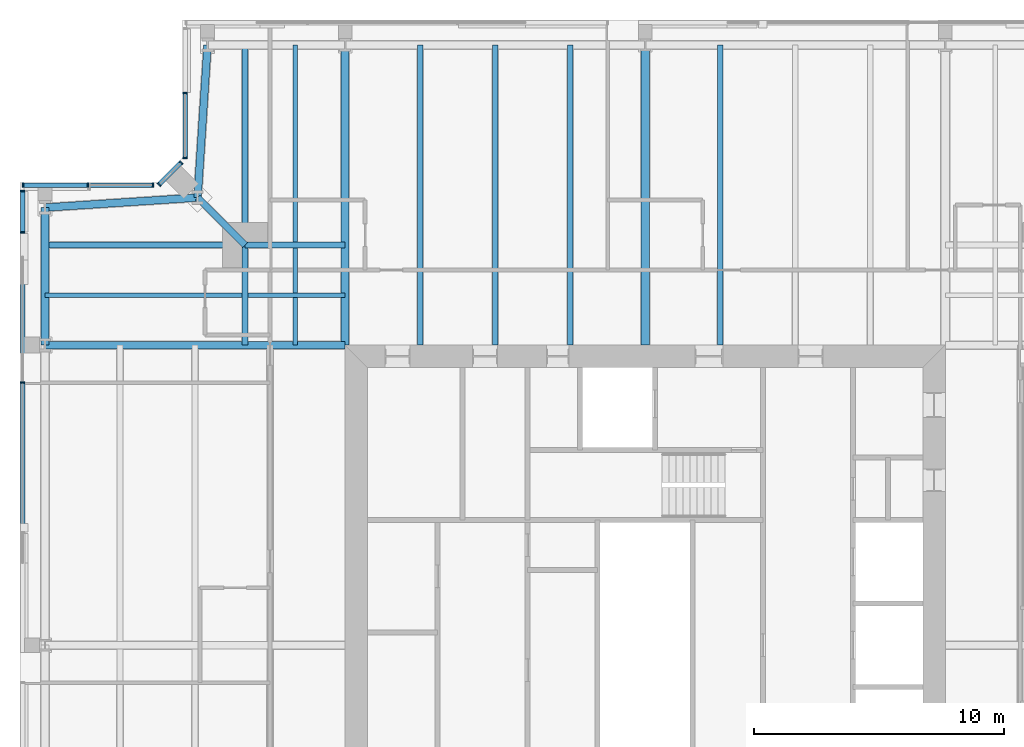
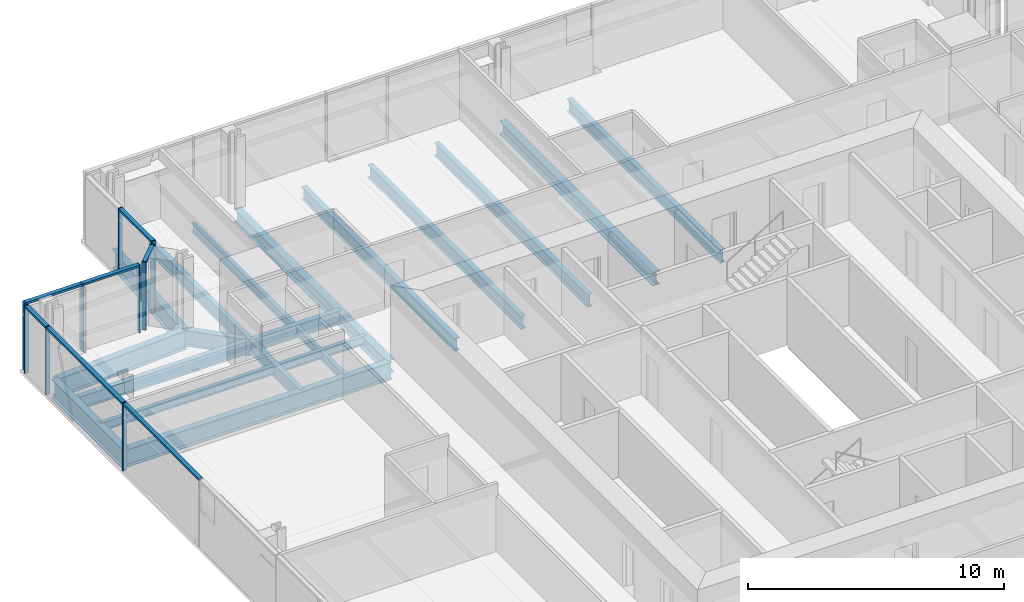
# One storey, part 7 of 20: 20 beams, 17 members, 4 elements without a shape of their own.
"""IFC4 building model written with IfcOpenShell, lengths in metres."""

from ifc_helpers import new_model, si_unit, direction, frame, origin, origin_2d, place, context, subcontext, project, spatial, rectangle, i_section, extrude, material, material_profile, profile_set, type_object, element, aggregate, save


model = new_model("IFC4")

# Units and contexts
model_context = context("Model", 3, precision=1e-05, world=origin(), true_north=direction((0.0, 1.0)))
body_context = subcontext(model_context, "Body", "Model", "MODEL_VIEW")
ifc_project = project(units=[si_unit("LENGTHUNIT", "METRE"), si_unit("AREAUNIT", "SQUARE_METRE"), si_unit("VOLUMEUNIT", "CUBIC_METRE"), si_unit("PLANEANGLEUNIT", "RADIAN"), si_unit("MASSUNIT", "GRAM", prefix="KILO")], contexts=[model_context])

# Site, building, storey
site_placement = place(None, origin())
site = spatial("IfcSite", under=ifc_project, at=site_placement, CompositionType="ELEMENT")
building_placement = place(site_placement, origin())
building = spatial("IfcBuilding", under=site, at=building_placement, Name="Fenwick Lantern Interchange", CompositionType="ELEMENT")
storey_placement = place(building_placement, frame((0.0, 0.0, 279.800048828125)))
storey = spatial("IfcBuildingStorey", under=building, at=storey_placement, Name="L67", CompositionType="ELEMENT", Elevation=279.800048828125)

# Beams
ifc_material_1 = material(Name="Steel ASTM A992 Grade 50", Category="steel")
ifc_material_profile_1 = material_profile(ifc_material_1, i_section(OverallWidth=0.3046875, OverallDepth=0.911865234375, WebThickness=0.015869140625, FlangeThickness=0.02392578125, at=origin_2d()), Name="W36X150")
ifc_profile_set_1 = profile_set([ifc_material_profile_1], Name="Steel ASTM A992 Grade 50")
beam_type_1 = type_object("IfcBeamType", Name="EDGE BEAM W36X150", PredefinedType="SPANDREL", material=ifc_profile_set_1)
for number, where, z_axis, x_axis, name in (
    (1, (7.5, 49.0, -0.60595703125), (-0.065416293237, -0.997858060337, 0.0), (0.997858060337, -0.065416293237, 0.0), "L67/FR/N/EBR1"),
    (2, (7.10009765625, 42.89990234375, -0.60595703125), (-0.997858060337, -0.065416293237, 0.0), (0.065416293237, -0.997858060337, 0.0), "L67/FR/N/EBR2"),
):
    element("IfcBeam", number, at=place(storey_placement, frame(where, z_axis=z_axis, x_axis=x_axis)), inside=storey, type_object=beam_type_1, Name=name, PredefinedType="SPANDREL", context=body_context, shape_type="SweptSolid", body=[
        extrude(i_section(OverallWidth=0.3046875, OverallDepth=0.911865234375, WebThickness=0.015869140625, FlangeThickness=0.02392578125, at=origin_2d()), origin(), (0.0, 0.0, 1.0), 6.11328125),
    ])
beam_1_placement = place(storey_placement, frame((1.0, 42.5, -0.60595703125), z_axis=(0.0, -1.0, 0.0), x_axis=(1.0, 0.0, 0.0)))
element("IfcBeam", 3, at=beam_1_placement, inside=storey, type_object=beam_type_1, Name="L67/FR/W/EB1", PredefinedType="SPANDREL", context=body_context, shape_type="SweptSolid", body=[
    extrude(i_section(OverallWidth=0.3046875, OverallDepth=0.911865234375, WebThickness=0.015869140625, FlangeThickness=0.02392578125, at=origin_2d()), origin(), (0.0, 0.0, 1.0), 5.5),
])
ifc_material_profile_2 = material_profile(ifc_material_1, i_section(OverallWidth=0.22900390625, OverallDepth=0.612060546875, WebThickness=0.011962890625, FlangeThickness=0.01953125, at=origin_2d()), Name="W24X84")
ifc_profile_set_2 = profile_set([ifc_material_profile_2], Name="Steel ASTM A992 Grade 50")
beam_type_2 = type_object("IfcBeamType", Name="FLOOR BEAM W24X84", PredefinedType="BEAM", material=ifc_profile_set_2)
for number, where, z_axis, x_axis, name in (
    (4, (28.0, 49.0, -0.4560546875), (0.0, -1.0, 0.0), (1.0, 0.0, 0.0), "L67/FR/N/R04"),
    (5, (22.0, 49.0, -0.4560546875), (0.0, -1.0, 0.0), (1.0, 0.0, 0.0), "L67/FR/N/R06"),
    (6, (19.0, 49.0, -0.4560546875), (0.0, -1.0, 0.0), (1.0, 0.0, 0.0), "L67/FR/N/R07"),
    (7, (16.0, 49.0, -0.4560546875), (0.0, -1.0, 0.0), (1.0, 0.0, 0.0), "L67/FR/N/R08"),
):
    element("IfcBeam", number, at=place(storey_placement, frame(where, z_axis=z_axis, x_axis=x_axis)), inside=storey, type_object=beam_type_2, Name=name, PredefinedType="BEAM", context=body_context, shape_type="SweptSolid", body=[
        extrude(i_section(OverallWidth=0.22900390625, OverallDepth=0.612060546875, WebThickness=0.011962890625, FlangeThickness=0.01953125, at=origin_2d()), origin(), (0.0, 0.0, 1.0), 12.0),
    ])

# Curtain wall, members
ifc_material_2 = material(Name="Aluminium curtain wall frame", Category="aluminium")
curtain_wall_type = type_object("IfcCurtainWallType", Name="HOTEL CURTAIN WALL", PredefinedType="USERDEFINED", material=ifc_material_2)
curtain_wall_1_placement = place(storey_placement, origin())
curtain_wall_1 = element("IfcCurtainWall", 8, at=curtain_wall_1_placement, inside=storey, type_object=curtain_wall_type, Name="Hotel curtain wall 10", ObjectType="HOTEL CURTAIN WALL", PredefinedType="USERDEFINED")
ifc_material_3 = material(Name="Aluminium extrusion", Category="aluminium")
ifc_material_profile_3 = material_profile(ifc_material_3, rectangle(XDim=0.179931640625, YDim=0.06005859375, at=origin_2d()), Name="HOTEL CURTAIN WALL MULLION 60 X 180")
ifc_profile_set_3 = profile_set([ifc_material_profile_3], Name="Aluminium extrusion")
member_type_1 = type_object("IfcMemberType", Name="HOTEL CURTAIN WALL MULLION 60 X 180", PredefinedType="MULLION", material=ifc_profile_set_3)
member_1_placement = place(storey_placement, frame((6.60009765625, 47.079345703125, 0.0), z_axis=(0.0, 0.0, 1.0), x_axis=(1.0, 0.0, 0.0)))
member_1 = element("IfcMember", 9, at=member_1_placement, type_object=member_type_1, Name="L67/CW/10/M01", PredefinedType="MULLION", context=body_context, shape_type="SweptSolid", body=[
    extrude(rectangle(XDim=0.179931640625, YDim=0.06005859375, at=origin_2d()), origin(), (0.0, 0.0, 1.0), 3.25),
])
member_2_placement = place(storey_placement, frame((6.60009765625, 44.488525390625, 0.0), z_axis=(0.0, 0.0, 1.0), x_axis=(1.0, 0.0, 0.0)))
member_2 = element("IfcMember", 10, at=member_2_placement, type_object=member_type_1, Name="L67/CW/10/M02", PredefinedType="MULLION", context=body_context, shape_type="SweptSolid", body=[
    extrude(rectangle(XDim=0.179931640625, YDim=0.06005859375, at=origin_2d()), origin(), (0.0, 0.0, 1.0), 3.25),
])

curtain_wall_2_placement = place(storey_placement, origin())
curtain_wall_2 = element("IfcCurtainWall", 11, at=curtain_wall_2_placement, inside=storey, type_object=curtain_wall_type, Name="Hotel curtain wall 11", ObjectType="HOTEL CURTAIN WALL", PredefinedType="USERDEFINED")
member_3_placement = place(storey_placement, frame((6.437255859375, 44.2958984375, 0.0), z_axis=(0.0, 0.0, 1.0), x_axis=(0.707106781187, -0.707106781187, 0.0)))
member_3 = element("IfcMember", 12, at=member_3_placement, type_object=member_type_1, Name="L67/CW/11/M00", PredefinedType="MULLION", context=body_context, shape_type="SweptSolid", body=[
    extrude(rectangle(XDim=0.179931640625, YDim=0.06005859375, at=origin_2d()), origin(), (0.0, 0.0, 1.0), 3.25),
])
member_4_placement = place(storey_placement, frame((5.562744140625, 43.421142578125, 0.0), z_axis=(0.0, 0.0, 1.0), x_axis=(0.707106781187, -0.707106781187, 0.0)))
member_4 = element("IfcMember", 13, at=member_4_placement, type_object=member_type_1, Name="L67/CW/11/M01", PredefinedType="MULLION", context=body_context, shape_type="SweptSolid", body=[
    extrude(rectangle(XDim=0.179931640625, YDim=0.06005859375, at=origin_2d()), origin(), (0.0, 0.0, 1.0), 3.25),
])

curtain_wall_3_placement = place(storey_placement, origin())
curtain_wall_3 = element("IfcCurtainWall", 14, at=curtain_wall_3_placement, inside=storey, type_object=curtain_wall_type, Name="Hotel curtain wall 12", ObjectType="HOTEL CURTAIN WALL", PredefinedType="USERDEFINED")
member_5_placement = place(storey_placement, frame((5.3115234375, 43.39990234375, 0.0), z_axis=(0.0, 0.0, 1.0), x_axis=(0.0, -1.0, 0.0)))
member_5 = element("IfcMember", 15, at=member_5_placement, type_object=member_type_1, Name="L67/CW/12/M00", PredefinedType="MULLION", context=body_context, shape_type="SweptSolid", body=[
    extrude(rectangle(XDim=0.179931640625, YDim=0.06005859375, at=origin_2d()), origin(), (0.0, 0.0, 1.0), 3.25),
])
member_6_placement = place(storey_placement, frame((2.720703125, 43.39990234375, 0.0), z_axis=(0.0, 0.0, 1.0), x_axis=(0.0, -1.0, 0.0)))
member_6 = element("IfcMember", 16, at=member_6_placement, type_object=member_type_1, Name="L67/CW/12/M01", PredefinedType="MULLION", context=body_context, shape_type="SweptSolid", body=[
    extrude(rectangle(XDim=0.179931640625, YDim=0.06005859375, at=origin_2d()), origin(), (0.0, 0.0, 1.0), 3.25),
])
member_7_placement = place(storey_placement, frame((0.1298828125, 43.39990234375, 0.0), z_axis=(0.0, 0.0, 1.0), x_axis=(0.0, -1.0, 0.0)))
member_7 = element("IfcMember", 17, at=member_7_placement, type_object=member_type_1, Name="L67/CW/12/M02", PredefinedType="MULLION", context=body_context, shape_type="SweptSolid", body=[
    extrude(rectangle(XDim=0.179931640625, YDim=0.06005859375, at=origin_2d()), origin(), (0.0, 0.0, 1.0), 3.25),
])

curtain_wall_4_placement = place(storey_placement, origin())
curtain_wall_4 = element("IfcCurtainWall", 18, at=curtain_wall_4_placement, inside=storey, type_object=curtain_wall_type, Name="Hotel curtain wall 13", ObjectType="HOTEL CURTAIN WALL", PredefinedType="USERDEFINED")
member_8_placement = place(storey_placement, frame((0.10009765625, 43.169921875, 0.0), z_axis=(0.0, 0.0, 1.0), x_axis=(1.0, 0.0, 0.0)))
member_8 = element("IfcMember", 19, at=member_8_placement, type_object=member_type_1, Name="L67/CW/13/M00", PredefinedType="MULLION", context=body_context, shape_type="SweptSolid", body=[
    extrude(rectangle(XDim=0.179931640625, YDim=0.06005859375, at=origin_2d()), origin(), (0.0, 0.0, 1.0), 3.25),
])
member_9_placement = place(storey_placement, frame((0.10009765625, 41.5, 0.0), z_axis=(0.0, 0.0, 1.0), x_axis=(1.0, 0.0, 0.0)))
member_9 = element("IfcMember", 20, at=member_9_placement, type_object=member_type_1, Name="L67/CW/13/M01", PredefinedType="MULLION", context=body_context, shape_type="SweptSolid", body=[
    extrude(rectangle(XDim=0.179931640625, YDim=0.06005859375, at=origin_2d()), origin(), (0.0, 0.0, 1.0), 3.25),
])
member_10_placement = place(storey_placement, frame((0.10009765625, 35.5, 0.0), z_axis=(0.0, 0.0, 1.0), x_axis=(1.0, 0.0, 0.0)))
member_10 = element("IfcMember", 21, at=member_10_placement, type_object=member_type_1, Name="L67/CW/13/M02", PredefinedType="MULLION", context=body_context, shape_type="SweptSolid", body=[
    extrude(rectangle(XDim=0.179931640625, YDim=0.06005859375, at=origin_2d()), origin(), (0.0, 0.0, 1.0), 3.25),
])

# Member
ifc_material_profile_4 = material_profile(ifc_material_3, rectangle(XDim=0.179931640625, YDim=0.10009765625, at=origin_2d()), Name="HOTEL CURTAIN WALL TRANSOM 100 X 180")
ifc_profile_set_4 = profile_set([ifc_material_profile_4], Name="Aluminium extrusion")
member_type_2 = type_object("IfcMemberType", Name="HOTEL CURTAIN WALL TRANSOM 100 X 180", PredefinedType="MULLION", material=ifc_profile_set_4)
member_11_placement = place(storey_placement, frame((6.60009765625, 47.04931640625, 3.199951171875), z_axis=(0.0, -1.0, 0.0), x_axis=(1.0, 0.0, 0.0)))
member_11 = element("IfcMember", 22, at=member_11_placement, type_object=member_type_2, Name="L67/CW/10/T01", PredefinedType="MULLION", context=body_context, shape_type="SweptSolid", body=[
    extrude(rectangle(XDim=0.179931640625, YDim=0.10009765625, at=origin_2d()), origin(), (0.0, 0.0, 1.0), 2.53076171875),
])

aggregate(curtain_wall_1, [member_1, member_2, member_11])

member_12_placement = place(storey_placement, frame((6.416259765625, 44.274658203125, 3.199951171875), z_axis=(-0.707210470133, -0.707003077033, 0.0), x_axis=(0.707003077033, -0.707210470133, 0.0)))
member_12 = element("IfcMember", 23, at=member_12_placement, type_object=member_type_2, Name="L67/CW/11/T00", PredefinedType="MULLION", context=body_context, shape_type="SweptSolid", body=[
    extrude(rectangle(XDim=0.179931640625, YDim=0.10009765625, at=origin_2d()), origin(), (0.0, 0.0, 1.0), 1.17724609375),
])

aggregate(curtain_wall_2, [member_3, member_4, member_12])

member_13_placement = place(storey_placement, frame((5.281494140625, 43.39990234375, 3.199951171875), z_axis=(-1.0, 0.0, 0.0), x_axis=(0.0, -1.0, 0.0)))
member_13 = element("IfcMember", 24, at=member_13_placement, type_object=member_type_2, Name="L67/CW/12/T00", PredefinedType="MULLION", context=body_context, shape_type="SweptSolid", body=[
    extrude(rectangle(XDim=0.179931640625, YDim=0.10009765625, at=origin_2d()), origin(), (0.0, 0.0, 1.0), 2.53076171875),
])

member_14_placement = place(storey_placement, frame((2.690673828125, 43.39990234375, 3.199951171875), z_axis=(-1.0, 0.0, 0.0), x_axis=(0.0, -1.0, 0.0)))
member_14 = element("IfcMember", 25, at=member_14_placement, type_object=member_type_2, Name="L67/CW/12/T01", PredefinedType="MULLION", context=body_context, shape_type="SweptSolid", body=[
    extrude(rectangle(XDim=0.179931640625, YDim=0.10009765625, at=origin_2d()), origin(), (0.0, 0.0, 1.0), 2.53076171875),
])

aggregate(curtain_wall_3, [member_5, member_6, member_7, member_13, member_14])

member_15_placement = place(storey_placement, frame((0.10009765625, 43.139892578125, 3.199951171875), z_axis=(0.0, -1.0, 0.0), x_axis=(1.0, 0.0, 0.0)))
member_15 = element("IfcMember", 26, at=member_15_placement, type_object=member_type_2, Name="L67/CW/13/T00", PredefinedType="MULLION", context=body_context, shape_type="SweptSolid", body=[
    extrude(rectangle(XDim=0.179931640625, YDim=0.10009765625, at=origin_2d()), origin(), (0.0, 0.0, 1.0), 1.60986328125),
])

member_16_placement = place(storey_placement, frame((0.10009765625, 41.469970703125, 3.199951171875), z_axis=(0.0, -1.0, 0.0), x_axis=(1.0, 0.0, 0.0)))
member_16 = element("IfcMember", 27, at=member_16_placement, type_object=member_type_2, Name="L67/CW/13/T01", PredefinedType="MULLION", context=body_context, shape_type="SweptSolid", body=[
    extrude(rectangle(XDim=0.179931640625, YDim=0.10009765625, at=origin_2d()), origin(), (0.0, 0.0, 1.0), 5.93994140625),
])

member_17_placement = place(storey_placement, frame((0.10009765625, 35.469970703125, 3.199951171875), z_axis=(0.0, -1.0, 0.0), x_axis=(1.0, 0.0, 0.0)))
member_17 = element("IfcMember", 28, at=member_17_placement, type_object=member_type_2, Name="L67/CW/13/T02", PredefinedType="MULLION", context=body_context, shape_type="SweptSolid", body=[
    extrude(rectangle(XDim=0.179931640625, YDim=0.10009765625, at=origin_2d()), origin(), (0.0, 0.0, 1.0), 5.93994140625),
])

aggregate(curtain_wall_4, [member_8, member_9, member_10, member_15, member_16, member_17])

# Beams
ifc_material_profile_5 = material_profile(ifc_material_1, i_section(OverallWidth=0.177734375, OverallDepth=0.406494140625, WebThickness=0.0078125, FlangeThickness=0.012939453125, at=origin_2d()), Name="W16X40")
ifc_profile_set_5 = profile_set([ifc_material_profile_5], Name="Steel ASTM A992 Grade 50")
beam_type_3 = type_object("IfcBeamType", Name="INFILL BEAM W16X40", PredefinedType="JOIST", material=ifc_profile_set_5)
beam_2_placement = place(storey_placement, frame((1.0, 39.0, -0.353271484375), z_axis=(1.0, 0.0, 0.0), x_axis=(0.0, 1.0, 0.0)))
element("IfcBeam", 29, at=beam_2_placement, inside=storey, type_object=beam_type_3, Name="L67/FR/W/J1", PredefinedType="JOIST", context=body_context, shape_type="SweptSolid", body=[
    extrude(i_section(OverallWidth=0.177734375, OverallDepth=0.406494140625, WebThickness=0.0078125, FlangeThickness=0.012939453125, at=origin_2d()), origin(), (0.0, 0.0, 1.0), 7.885498046875),
])
beam_3_placement = place(storey_placement, frame((9.114501953125, 39.0, -0.353271484375), z_axis=(1.0, 0.0, 0.0), x_axis=(0.0, 1.0, 0.0)))
element("IfcBeam", 30, at=beam_3_placement, inside=storey, type_object=beam_type_3, Name="L67/FR/W/J2", PredefinedType="JOIST", context=body_context, shape_type="SweptSolid", body=[
    extrude(i_section(OverallWidth=0.177734375, OverallDepth=0.406494140625, WebThickness=0.0078125, FlangeThickness=0.012939453125, at=origin_2d()), origin(), (0.0, 0.0, 1.0), 3.885498046875),
])
beam_4_placement = place(storey_placement, frame((11.0, 49.0, -0.353271484375), z_axis=(0.0, -1.0, 0.0), x_axis=(1.0, 0.0, 0.0)))
element("IfcBeam", 31, at=beam_4_placement, inside=storey, type_object=beam_type_3, Name="L67/FR/W/J3", PredefinedType="JOIST", context=body_context, shape_type="SweptSolid", body=[
    extrude(i_section(OverallWidth=0.177734375, OverallDepth=0.406494140625, WebThickness=0.0078125, FlangeThickness=0.012939453125, at=origin_2d()), origin(), (0.0, 0.0, 1.0), 7.885498046875),
])
beam_5_placement = place(storey_placement, frame((11.0, 40.885498046875, -0.353271484375), z_axis=(0.0, -1.0, 0.0), x_axis=(1.0, 0.0, 0.0)))
element("IfcBeam", 32, at=beam_5_placement, inside=storey, type_object=beam_type_3, Name="L67/FR/W/J4", PredefinedType="JOIST", context=body_context, shape_type="SweptSolid", body=[
    extrude(i_section(OverallWidth=0.177734375, OverallDepth=0.406494140625, WebThickness=0.0078125, FlangeThickness=0.012939453125, at=origin_2d()), origin(), (0.0, 0.0, 1.0), 1.796630859375),
])
beam_6_placement = place(storey_placement, frame((11.0, 38.9111328125, -0.353271484375), z_axis=(0.0, -1.0, 0.0), x_axis=(1.0, 0.0, 0.0)))
element("IfcBeam", 33, at=beam_6_placement, inside=storey, type_object=beam_type_3, Name="L67/FR/W/J5", PredefinedType="JOIST", context=body_context, shape_type="SweptSolid", body=[
    extrude(i_section(OverallWidth=0.177734375, OverallDepth=0.406494140625, WebThickness=0.0078125, FlangeThickness=0.012939453125, at=origin_2d()), origin(), (0.0, 0.0, 1.0), 1.9111328125),
])
ifc_material_profile_6 = material_profile(ifc_material_1, i_section(OverallWidth=0.22900390625, OverallDepth=0.612060546875, WebThickness=0.011962890625, FlangeThickness=0.01953125, at=origin_2d()), Name="W24X84")
ifc_profile_set_6 = profile_set([ifc_material_profile_6], Name="Steel ASTM A992 Grade 50")
beam_type_4 = type_object("IfcBeamType", Name="MEGA COLUMN BEAM W24X84", PredefinedType="BEAM", material=ifc_profile_set_6)
for number, where, z_axis, x_axis, name in (
    (34, (9.0, 41.0, -0.4560546875), (-1.0, 0.0, 0.0), (0.0, -1.0, 0.0), "L67/FR/W/MB1"),
    (35, (9.0, 41.0, -0.4560546875), (0.0, 1.0, 0.0), (-1.0, 0.0, 0.0), "L67/FR/W/MB2"),
):
    element("IfcBeam", number, at=place(storey_placement, frame(where, z_axis=z_axis, x_axis=x_axis)), inside=storey, type_object=beam_type_4, Name=name, PredefinedType="BEAM", context=body_context, shape_type="SweptSolid", body=[
        extrude(i_section(OverallWidth=0.22900390625, OverallDepth=0.612060546875, WebThickness=0.011962890625, FlangeThickness=0.01953125, at=origin_2d()), origin(), (0.0, 0.0, 1.0), 8.0),
    ])
for number, where, z_axis, x_axis, name in (
    (36, (9.0, 41.0, -0.4560546875), (0.0, -1.0, 0.0), (1.0, 0.0, 0.0), "L67/FR/W/MB3"),
    (37, (9.0, 41.0, -0.4560546875), (1.0, 0.0, 0.0), (0.0, 1.0, 0.0), "L67/FR/W/MB4"),
):
    element("IfcBeam", number, at=place(storey_placement, frame(where, z_axis=z_axis, x_axis=x_axis)), inside=storey, type_object=beam_type_4, Name=name, PredefinedType="BEAM", context=body_context, shape_type="SweptSolid", body=[
        extrude(i_section(OverallWidth=0.22900390625, OverallDepth=0.612060546875, WebThickness=0.011962890625, FlangeThickness=0.01953125, at=origin_2d()), origin(), (0.0, 0.0, 1.0), 4.0),
    ])
ifc_material_profile_7 = material_profile(ifc_material_1, i_section(OverallWidth=0.32763671875, OverallDepth=0.622314453125, WebThickness=0.015380859375, FlangeThickness=0.0244140625, at=origin_2d()), Name="W24X131")
ifc_profile_set_7 = profile_set([ifc_material_profile_7], Name="Steel ASTM A992 Grade 50")
beam_type_5 = type_object("IfcBeamType", Name="MOMENT-CONNECTED GIRDER W24X131", PredefinedType="BEAM", material=ifc_profile_set_7)
for number, where, z_axis, x_axis, name in (
    (38, (25.0, 49.0, -0.461181640625), (0.0, -1.0, 0.0), (1.0, 0.0, 0.0), "L67/FR/N/R05"),
    (39, (13.0, 49.0, -0.461181640625), (0.0, -1.0, 0.0), (1.0, 0.0, 0.0), "L67/FR/N/R09"),
):
    element("IfcBeam", number, at=place(storey_placement, frame(where, z_axis=z_axis, x_axis=x_axis)), inside=storey, type_object=beam_type_5, Name=name, PredefinedType="BEAM", context=body_context, shape_type="SweptSolid", body=[
        extrude(i_section(OverallWidth=0.32763671875, OverallDepth=0.622314453125, WebThickness=0.015380859375, FlangeThickness=0.0244140625, at=origin_2d()), origin(), (0.0, 0.0, 1.0), 12.0),
    ])
ifc_material_profile_8 = material_profile(ifc_material_1, i_section(OverallWidth=0.2919921875, OverallDepth=0.845703125, WebThickness=0.015380859375, FlangeThickness=0.0244140625, at=origin_2d()), Name="W33X141")
ifc_profile_set_8 = profile_set([ifc_material_profile_8], Name="Steel ASTM A992 Grade 50")
beam_type_6 = type_object("IfcBeamType", Name="MOMENT-CONNECTED GIRDER W33X141", PredefinedType="BEAM", material=ifc_profile_set_8)
beam_7_placement = place(storey_placement, frame((1.0, 37.0, -0.572998046875), z_axis=(1.0, 0.0, 0.0), x_axis=(0.0, 1.0, 0.0)))
element("IfcBeam", 40, at=beam_7_placement, inside=storey, type_object=beam_type_6, Name="L67/FR/W/R01", PredefinedType="BEAM", context=body_context, shape_type="SweptSolid", body=[
    extrude(i_section(OverallWidth=0.2919921875, OverallDepth=0.845703125, WebThickness=0.015380859375, FlangeThickness=0.0244140625, at=origin_2d()), origin(), (0.0, 0.0, 1.0), 12.0),
])
ifc_material_profile_9 = material_profile(ifc_material_1, i_section(OverallWidth=0.2666015625, OverallDepth=0.7568359375, WebThickness=0.013916015625, FlangeThickness=0.019287109375, at=origin_2d()), Name="W30X108")
ifc_profile_set_9 = profile_set([ifc_material_profile_9], Name="Steel ASTM A992 Grade 50")
beam_type_7 = type_object("IfcBeamType", Name="NOTCH BEAM W30X108", PredefinedType="BEAM", material=ifc_profile_set_9)
beam_8_placement = place(storey_placement, frame((9.0, 41.0, -0.528564453125), z_axis=(-0.707106781187, 0.707106781187, 0.0), x_axis=(-0.707106781187, -0.707106781187, 0.0)))
element("IfcBeam", 41, at=beam_8_placement, inside=storey, type_object=beam_type_7, Name="L67/FR/W/TG", PredefinedType="BEAM", context=body_context, shape_type="SweptSolid", body=[
    extrude(i_section(OverallWidth=0.2666015625, OverallDepth=0.7568359375, WebThickness=0.013916015625, FlangeThickness=0.019287109375, at=origin_2d()), origin(), (0.0, 0.0, 1.0), 2.686767578125),
])

save(model, "model.ifc")
